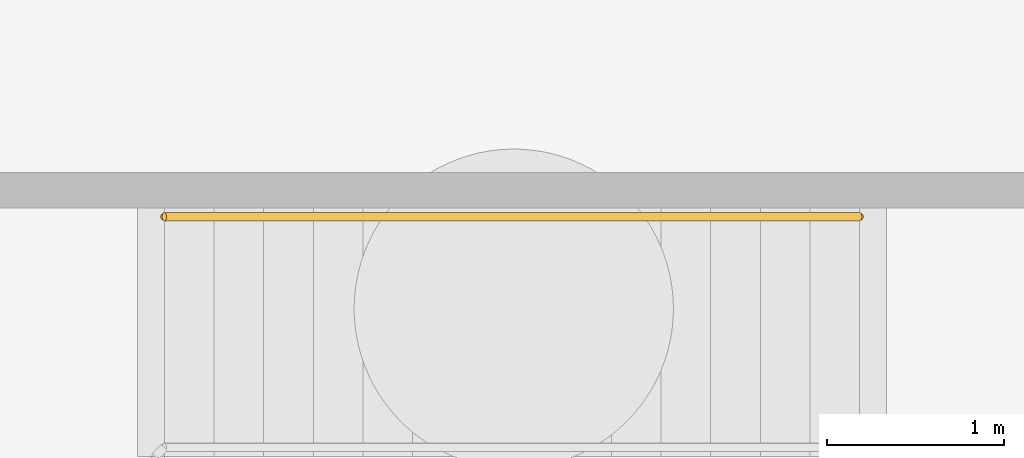
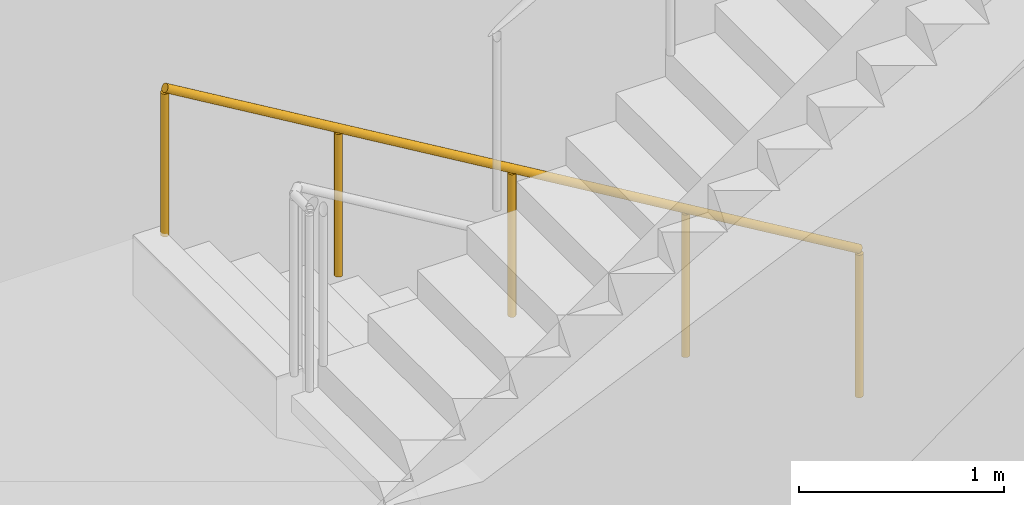
# One storey, part 22 of 23: 1 railing.
"""IFC4 building model written with IfcOpenShell, lengths in metres."""

from ifc_helpers import new_model, si_unit, direction, frame, origin, origin_2d, place, context, subcontext, project, spatial, circle, extrude, material, type_object, element, save


model = new_model("IFC4")

# Units and contexts
model_context = context("Model", 3, precision=1e-05, world=origin(), true_north=direction((0.0, 1.0)))
body_context = subcontext(model_context, "Body", "Model", "MODEL_VIEW")
ifc_project = project(units=[si_unit("LENGTHUNIT", "METRE"), si_unit("AREAUNIT", "SQUARE_METRE"), si_unit("VOLUMEUNIT", "CUBIC_METRE"), si_unit("PLANEANGLEUNIT", "RADIAN"), si_unit("MASSUNIT", "GRAM", prefix="KILO")], contexts=[model_context])

# Site, building, storey
site_placement = place(None, origin())
site = spatial("IfcSite", under=ifc_project, at=site_placement, CompositionType="ELEMENT")
building_placement = place(site_placement, origin())
building = spatial("IfcBuilding", under=site, at=building_placement, Name="Kheshtan School and Residences Tower", CompositionType="ELEMENT")
storey_placement = place(building_placement, frame((0.0, 0.0, -15.0)))
storey = spatial("IfcBuildingStorey", under=building, at=storey_placement, Name="B3", CompositionType="ELEMENT", Elevation=-15.0)

# Railing
ifc_material = material(Name="Stainless steel handrail", Category="steel")
railing_type = type_object("IfcRailingType", Name="Stair handrail 900", PredefinedType="HANDRAIL", material=ifc_material)
railing_placement = place(storey_placement, frame((51.64990234375, 39.199951171875, 0.166748046875)))
element("IfcRailing", 1, at=railing_placement, inside=storey, type_object=railing_type, Name="B3 ST1 stair handrail 1", PredefinedType="HANDRAIL", context=body_context, shape_type="SweptSolid", body=[
    extrude(circle(Radius=0.02392578125, at=origin_2d()), frame((0.0, 0.0, 0.8759765625), z_axis=(-0.859296244711, 0.0, 0.511478214419), x_axis=(0.0, -1.0, 0.0)), (0.0, 0.0, 1.0), 4.561767578125),
    extrude(circle(Radius=0.02099609375, at=origin_2d()), origin(), (0.0, 0.0, 1.0), 0.851806640625),
    extrude(circle(Radius=0.02099609375, at=origin_2d()), frame((-0.97998046875, 0.0, 0.583251953125)), (0.0, 0.0, 1.0), 0.851806640625),
    extrude(circle(Radius=0.02099609375, at=origin_2d()), frame((-1.9599609375, 0.0, 1.16650390625)), (0.0, 0.0, 1.0), 0.851806640625),
    extrude(circle(Radius=0.02099609375, at=origin_2d()), frame((-2.93994140625, 0.0, 1.75)), (0.0, 0.0, 1.0), 0.851806640625),
    extrude(circle(Radius=0.02099609375, at=origin_2d()), frame((-3.919921875, 0.0, 2.333251953125)), (0.0, 0.0, 1.0), 0.851806640625),
])

save(model, "model.ifc")
